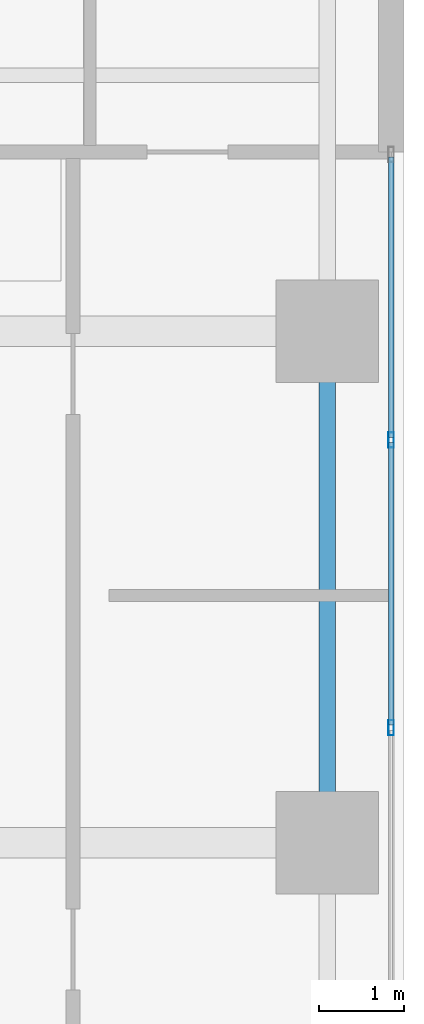
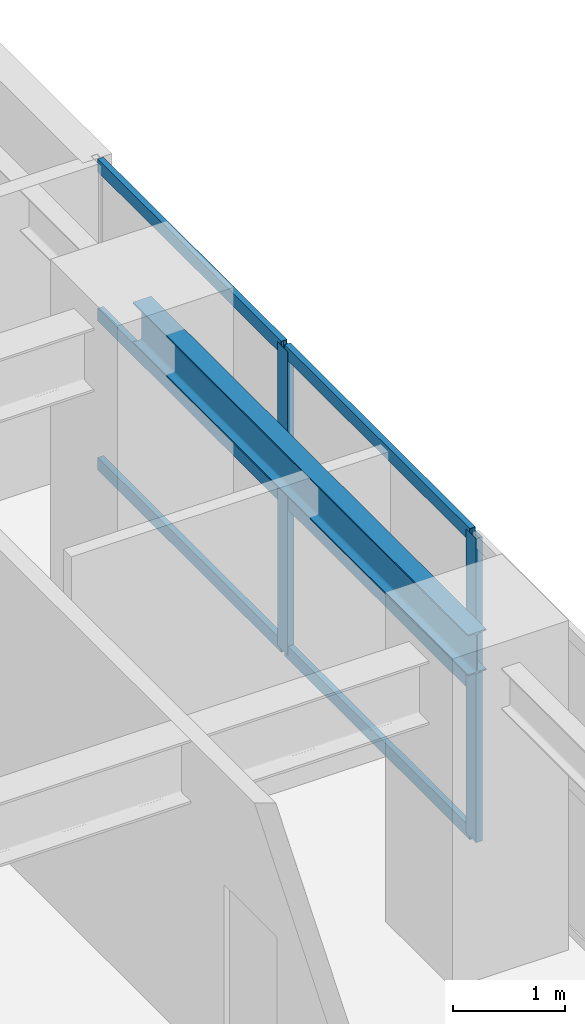
# One storey, part 6 of 19: 8 members, 1 beam, 1 element without a shape of its own.
"""IFC4 building model written with IfcOpenShell, lengths in metres."""

from ifc_helpers import new_model, si_unit, direction, frame, origin, origin_2d, place, context, subcontext, project, spatial, hollow_rectangle, i_section, extrude, source, transform, mapped, material, layer, layer_set, material_profile, profile_set, type_object, element, aggregate, save


model = new_model("IFC4")

# Units and contexts
model_context = context("Model", 3, precision=1e-05, world=origin(), true_north=direction((0.0, 1.0)))
body_context = subcontext(model_context, "Body", "Model", "MODEL_VIEW")
ifc_project = project(units=[si_unit("LENGTHUNIT", "METRE"), si_unit("AREAUNIT", "SQUARE_METRE"), si_unit("VOLUMEUNIT", "CUBIC_METRE"), si_unit("PLANEANGLEUNIT", "RADIAN"), si_unit("MASSUNIT", "GRAM", prefix="KILO")], contexts=[model_context])

# Site, building, storey
site_placement = place(None, origin())
site = spatial("IfcSite", under=ifc_project, at=site_placement, CompositionType="ELEMENT")
building_placement = place(site_placement, origin())
building = spatial("IfcBuilding", under=site, at=building_placement, Name="Khoralis Quay Care Tower", CompositionType="ELEMENT")
storey_placement = place(building_placement, frame((0.0, 0.0, 69.300048828125)))
storey = spatial("IfcBuildingStorey", under=building, at=storey_placement, Name="L18", CompositionType="ELEMENT", Elevation=69.300048828125)

# Beam
ifc_material_1 = material(Name="Steel S355", Category="steel")
ifc_material_profile_1 = material_profile(ifc_material_1, i_section(OverallWidth=0.18994140625, OverallDepth=0.449951171875, WebThickness=0.009521484375, FlangeThickness=0.0146484375, FilletRadius=0.02099609375, at=origin_2d()), Name="Steel S355")
ifc_profile_set_1 = profile_set([ifc_material_profile_1], Name="Steel S355")
beam_type = type_object("IfcBeamType", Name="BM-IPE450", PredefinedType="SPANDREL", material=ifc_profile_set_1)
shared_shape_1 = source(origin(), body_context, "Body", "SweptSolid", [
    extrude(i_section(OverallWidth=0.18994140625, OverallDepth=0.449951171875, WebThickness=0.009521484375, FlangeThickness=0.0146484375, FilletRadius=0.02099609375, at=origin_2d()), origin(), (0.0, 0.0, 1.0), 6.0),
])
beam_placement = place(storey_placement, frame((47.10009765625, 24.0, 3.094970703125), z_axis=(0.0, 1.0, 0.0), x_axis=(-1.0, 0.0, 0.0)))
element("IfcBeam", 1, at=beam_placement, inside=storey, type_object=beam_type, Name="BM-TSP-L18-22", PredefinedType="SPANDREL", context=body_context, shape_type="MappedRepresentation", body=[
    mapped(shared_shape_1, transform((0.0, 0.0, 0.0), scale=1.0)),
])

# Curtain wall, members
ifc_material_2 = material(Name="Pale anodised aluminium", Category="aluminium")
ifc_layer = layer(ifc_material_2, 0.179931640625)
ifc_layer_set = layer_set([ifc_layer], Name="Pale anodised aluminium")
curtain_wall_type = type_object("IfcCurtainWallType", Name="CW-SYS-Z1", PredefinedType="NOTDEFINED", material=ifc_layer_set)
curtain_wall_placement = place(storey_placement, origin())
curtain_wall = element("IfcCurtainWall", 2, at=curtain_wall_placement, inside=storey, type_object=curtain_wall_type, Name="L18 Unitised Curtain Wall CW-L18-P1-E5", PredefinedType="NOTDEFINED")
ifc_material_profile_2 = material_profile(ifc_material_2, hollow_rectangle(XDim=0.06494140625, YDim=0.179931640625, WallThickness=0.00390625, at=origin_2d()), Name="Pale anodised aluminium")
ifc_profile_set_2 = profile_set([ifc_material_profile_2], Name="Pale anodised aluminium")
member_type_1 = type_object("IfcMemberType", Name="CW-MUL-180", PredefinedType="MULLION", material=ifc_profile_set_2)
shared_shape_2 = source(origin(), body_context, "Body", "SweptSolid", [
    extrude(hollow_rectangle(XDim=0.06494140625, YDim=0.179931640625, WallThickness=0.00390625, at=origin_2d()), origin(), (0.0, 0.0, 1.0), 3.320068359375),
])
member_1_placement = place(storey_placement, frame((47.85009765625, 25.35009765625, 0.0), z_axis=(0.0, 0.0, 1.0), x_axis=(-1.0, 0.0, 0.0)))
member_1 = element("IfcMember", 3, at=member_1_placement, type_object=member_type_1, Name="CW1 mullion 3", PredefinedType="MULLION", context=body_context, shape_type="MappedRepresentation", body=[
    mapped(shared_shape_2, transform((0.0, 0.0, 0.0), scale=1.0)),
])
member_2_placement = place(storey_placement, frame((47.85009765625, 28.72509765625, 0.0), z_axis=(0.0, 0.0, 1.0), x_axis=(-1.0, 0.0, 0.0)))
member_2 = element("IfcMember", 4, at=member_2_placement, type_object=member_type_1, Name="CW1 mullion 4", PredefinedType="MULLION", context=body_context, shape_type="MappedRepresentation", body=[
    mapped(shared_shape_2, transform((0.0, 0.0, 0.0), scale=1.0)),
])
ifc_material_profile_3 = material_profile(ifc_material_2, hollow_rectangle(XDim=0.06005859375, YDim=0.139892578125, WallThickness=0.00390625, at=origin_2d()), Name="Pale anodised aluminium")
ifc_profile_set_3 = profile_set([ifc_material_profile_3], Name="Pale anodised aluminium")
member_type_2 = type_object("IfcMemberType", Name="CW-TRN-140", PredefinedType="USERDEFINED", material=ifc_profile_set_3)
shared_shape_3 = source(origin(), body_context, "Body", "SweptSolid", [
    extrude(hollow_rectangle(XDim=0.06005859375, YDim=0.139892578125, WallThickness=0.00390625, at=origin_2d()), origin(), (0.0, 0.0, 1.0), 3.28515625),
])
member_3_placement = place(storey_placement, frame((47.85009765625, 28.7548828125, 0.030029296875), z_axis=(0.0, 1.0, 0.0), x_axis=(-1.0, 0.0, 0.0)))
member_3 = element("IfcMember", 5, at=member_3_placement, type_object=member_type_2, Name="CW1 transom 4.1", ObjectType="TRANSOM", PredefinedType="USERDEFINED", context=body_context, shape_type="MappedRepresentation", body=[
    mapped(shared_shape_3, transform((0.0, 0.0, 0.0), scale=1.0)),
])
member_4_placement = place(storey_placement, frame((47.85009765625, 28.7548828125, 1.659912109375), z_axis=(0.0, 1.0, 0.0), x_axis=(-1.0, 0.0, 0.0)))
member_4 = element("IfcMember", 6, at=member_4_placement, type_object=member_type_2, Name="CW1 transom 4.2", ObjectType="TRANSOM", PredefinedType="USERDEFINED", context=body_context, shape_type="MappedRepresentation", body=[
    mapped(shared_shape_3, transform((0.0, 0.0, 0.0), scale=1.0)),
])
member_5_placement = place(storey_placement, frame((47.85009765625, 28.7548828125, 3.2900390625), z_axis=(0.0, 1.0, 0.0), x_axis=(-1.0, 0.0, 0.0)))
member_5 = element("IfcMember", 7, at=member_5_placement, type_object=member_type_2, Name="CW1 transom 4.3", ObjectType="TRANSOM", PredefinedType="USERDEFINED", context=body_context, shape_type="MappedRepresentation", body=[
    mapped(shared_shape_3, transform((0.0, 0.0, 0.0), scale=1.0)),
])
shared_shape_4 = source(origin(), body_context, "Body", "SweptSolid", [
    extrude(hollow_rectangle(XDim=0.06005859375, YDim=0.139892578125, WallThickness=0.00390625, at=origin_2d()), origin(), (0.0, 0.0, 1.0), 3.315185546875),
])
member_6_placement = place(storey_placement, frame((47.85009765625, 25.3798828125, 0.030029296875), z_axis=(0.0, 1.0, 0.0), x_axis=(-1.0, 0.0, 0.0)))
member_6 = element("IfcMember", 8, at=member_6_placement, type_object=member_type_2, Name="CW1 transom 3.1", ObjectType="TRANSOM", PredefinedType="USERDEFINED", context=body_context, shape_type="MappedRepresentation", body=[
    mapped(shared_shape_4, transform((0.0, 0.0, 0.0), scale=1.0)),
])
member_7_placement = place(storey_placement, frame((47.85009765625, 25.3798828125, 1.659912109375), z_axis=(0.0, 1.0, 0.0), x_axis=(-1.0, 0.0, 0.0)))
member_7 = element("IfcMember", 9, at=member_7_placement, type_object=member_type_2, Name="CW1 transom 3.2", ObjectType="TRANSOM", PredefinedType="USERDEFINED", context=body_context, shape_type="MappedRepresentation", body=[
    mapped(shared_shape_4, transform((0.0, 0.0, 0.0), scale=1.0)),
])
member_8_placement = place(storey_placement, frame((47.85009765625, 25.3798828125, 3.2900390625), z_axis=(0.0, 1.0, 0.0), x_axis=(-1.0, 0.0, 0.0)))
member_8 = element("IfcMember", 10, at=member_8_placement, type_object=member_type_2, Name="CW1 transom 3.3", ObjectType="TRANSOM", PredefinedType="USERDEFINED", context=body_context, shape_type="MappedRepresentation", body=[
    mapped(shared_shape_4, transform((0.0, 0.0, 0.0), scale=1.0)),
])
aggregate(curtain_wall, [member_1, member_2, member_6, member_7, member_8, member_3, member_4, member_5])

save(model, "model.ifc")
